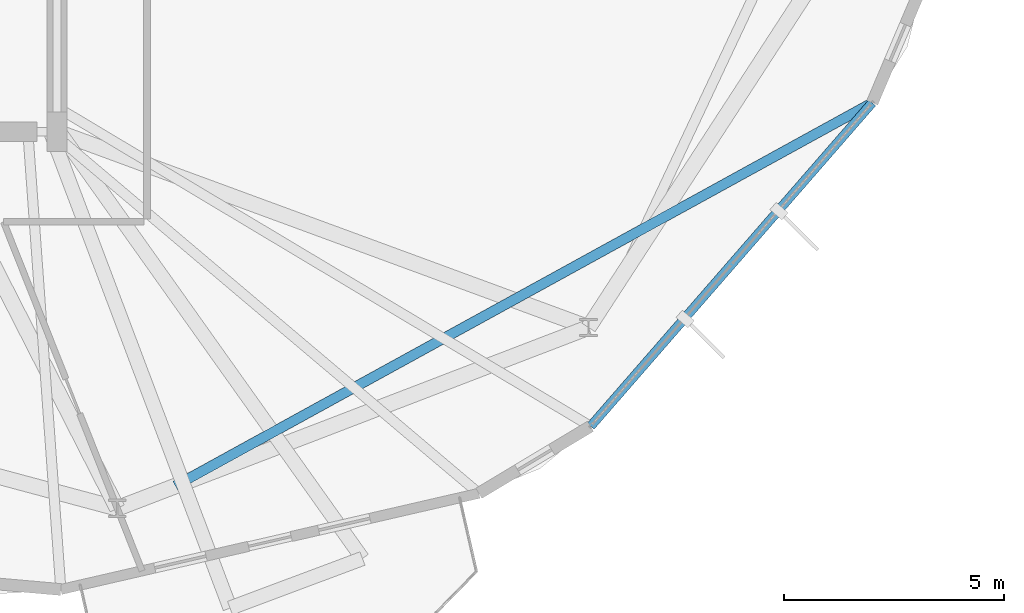
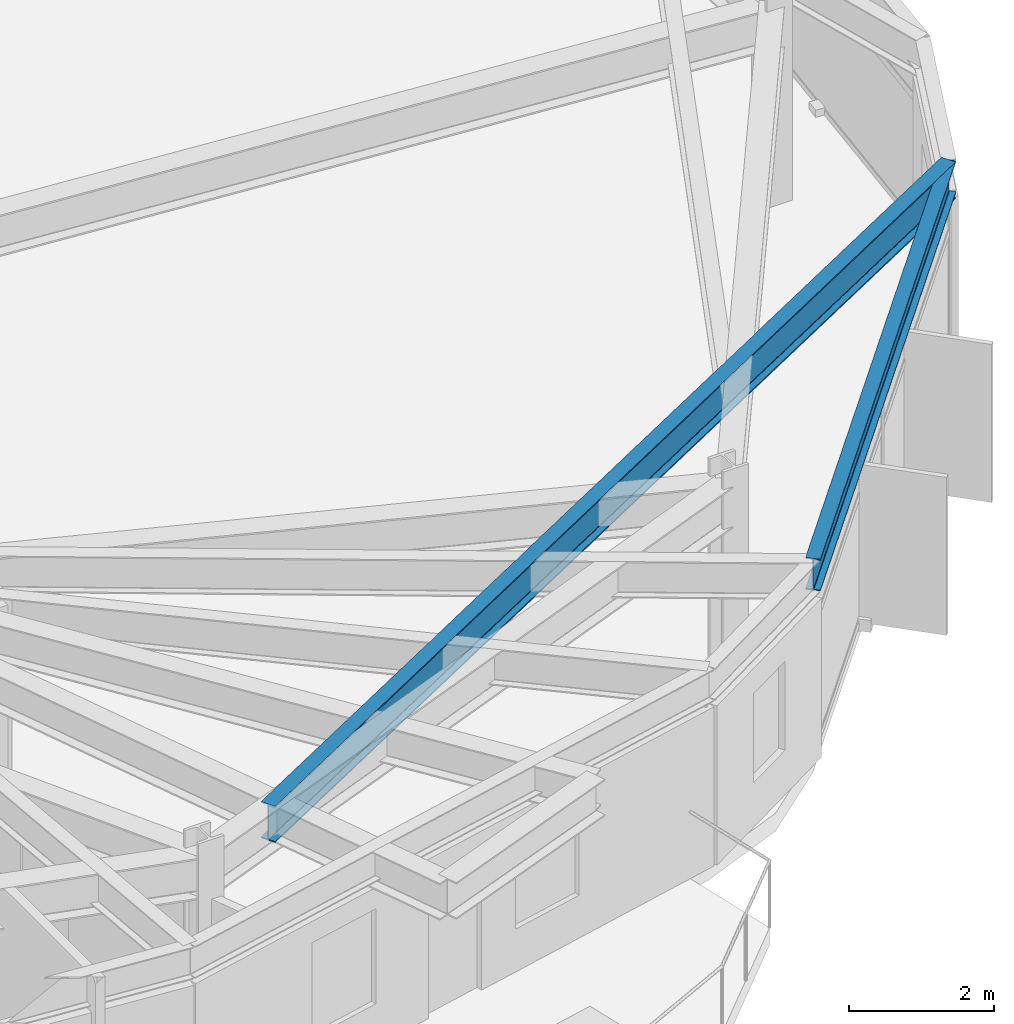
# One storey, part 9 of 27: 2 beams.
"""IFC4 building model written with IfcOpenShell, lengths in metres."""

from ifc_helpers import new_model, si_unit, direction, frame, origin, origin_2d, place, context, subcontext, project, spatial, i_section, extrude, material, material_profile, profile_set, type_object, element, save


model = new_model("IFC4")

# Units and contexts
model_context = context("Model", 3, precision=1e-05, world=origin(), true_north=direction((0.0, 1.0)))
body_context = subcontext(model_context, "Body", "Model", "MODEL_VIEW")
ifc_project = project(units=[si_unit("LENGTHUNIT", "METRE"), si_unit("AREAUNIT", "SQUARE_METRE"), si_unit("VOLUMEUNIT", "CUBIC_METRE"), si_unit("PLANEANGLEUNIT", "RADIAN"), si_unit("MASSUNIT", "GRAM", prefix="KILO")], contexts=[model_context])

# Site, building, storey
site_placement = place(None, origin())
site = spatial("IfcSite", under=ifc_project, at=site_placement, CompositionType="ELEMENT")
building_placement = place(site_placement, origin())
building = spatial("IfcBuilding", under=site, at=building_placement, Name="Soratama Intermodal Tower", CompositionType="ELEMENT")
storey_placement = place(building_placement, frame((0.0, 0.0, 212.199951171875)))
storey = spatial("IfcBuildingStorey", under=building, at=storey_placement, Name="L53", CompositionType="ELEMENT", Elevation=212.199951171875)

# Beams
ifc_material_1 = material(Name="Structural steel ASTM A992 Grade 50", Category="steel")
ifc_material_profile_1 = material_profile(ifc_material_1, i_section(OverallWidth=0.2099609375, OverallDepth=0.537109375, WebThickness=0.010986328125, FlangeThickness=0.017333984375, FilletRadius=0.012939453125, at=origin_2d()), Name="W21X68")
ifc_profile_set_1 = profile_set([ifc_material_profile_1], Name="Structural steel ASTM A992 Grade 50")
beam_type_1 = type_object("IfcBeamType", Name="BM-SPN-W21X68", PredefinedType="SPANDREL", material=ifc_profile_set_1)
beam_1_placement = place(storey_placement, frame((56.751953125, 8.2939453125, 3.031494140625), z_axis=(0.656584514776, 0.754252461021, 0.0), x_axis=(-0.754252461021, 0.656584514776, 0.0)))
element("IfcBeam", 1, at=beam_1_placement, inside=storey, type_object=beam_type_1, Name="BS-L53-F08", PredefinedType="SPANDREL", context=body_context, shape_type="SweptSolid", body=[
    extrude(i_section(OverallWidth=0.2099609375, OverallDepth=0.537109375, WebThickness=0.010986328125, FlangeThickness=0.017333984375, FilletRadius=0.012939453125, at=origin_2d()), origin(), (0.0, 0.0, 1.0), 9.768798828125),
])
ifc_material_2 = material(Name="Structural steel ASTM A992 Grade 50", Category="steel")
ifc_material_profile_2 = material_profile(ifc_material_2, i_section(OverallWidth=0.22900390625, OverallDepth=0.612060546875, WebThickness=0.011962890625, FlangeThickness=0.01953125, FilletRadius=0.012939453125, at=origin_2d()), Name="W24X84")
ifc_profile_set_2 = profile_set([ifc_material_profile_2], Name="Structural steel ASTM A992 Grade 50")
beam_type_2 = type_object("IfcBeamType", Name="BM-TIE-W24X84", PredefinedType="BEAM", material=ifc_profile_set_2)
beam_2_placement = place(storey_placement, frame((47.2939453125, 6.93798828125, 2.994140625), z_axis=(0.876344517079, 0.481684842387, 0.0), x_axis=(-0.481684842387, 0.876344517079, 0.0)))
element("IfcBeam", 2, at=beam_2_placement, inside=storey, type_object=beam_type_2, Name="BM-L53-TIE1-08", PredefinedType="BEAM", context=body_context, shape_type="SweptSolid", body=[
    extrude(i_section(OverallWidth=0.22900390625, OverallDepth=0.612060546875, WebThickness=0.011962890625, FlangeThickness=0.01953125, FilletRadius=0.012939453125, at=origin_2d()), origin(), (0.0, 0.0, 1.0), 18.111572265625),
])

save(model, "model.ifc")
